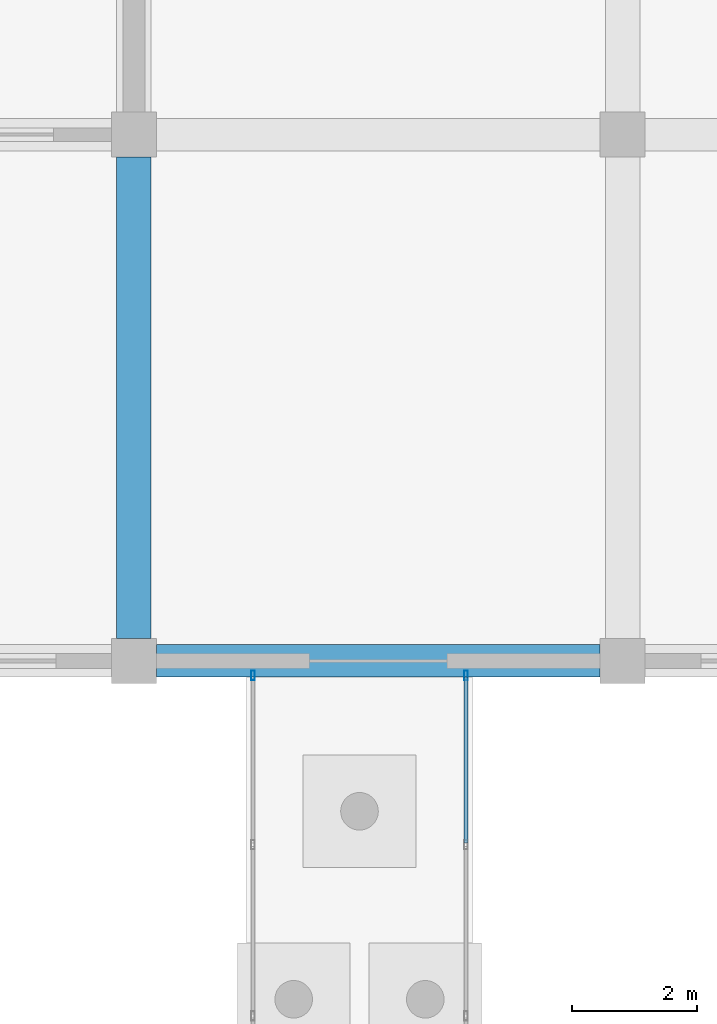
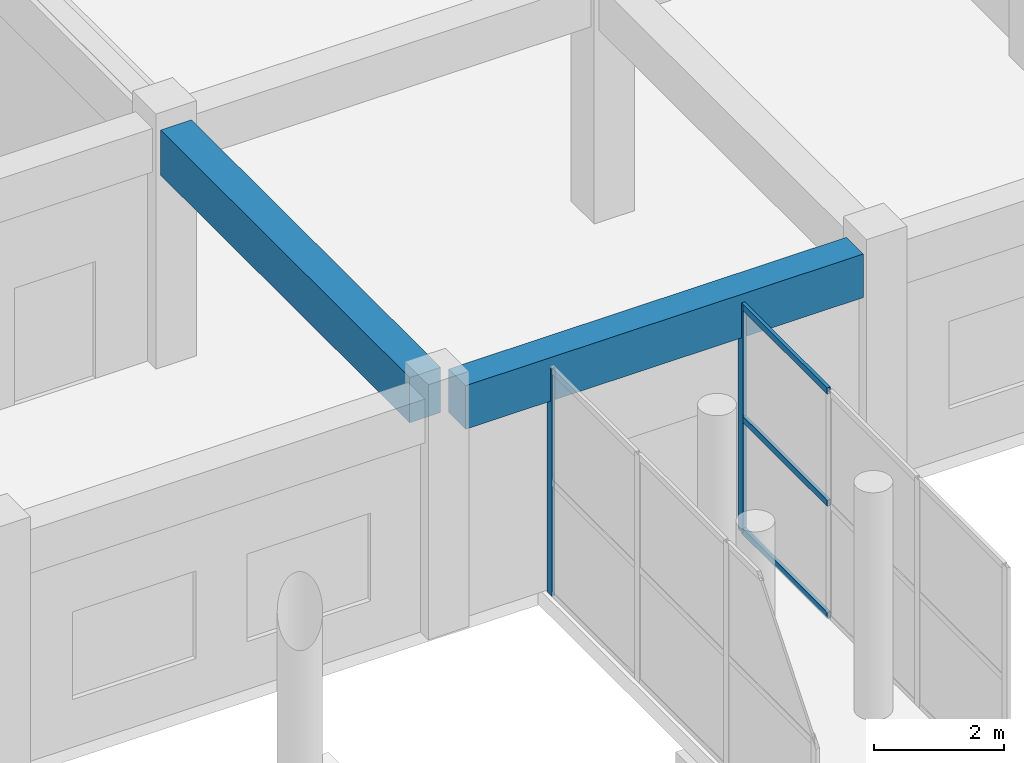
# One storey, part 66 of 139: 5 members, 2 beams, 2 elements without a shape of their own.
"""IFC4 building model written with IfcOpenShell, lengths in metres."""

from ifc_helpers import new_model, si_unit, direction, frame, origin, origin_2d, place, context, subcontext, project, spatial, rectangle, hollow_rectangle, extrude, material, layer, layer_set, material_profile, profile_set, type_object, element, aggregate, save


model = new_model("IFC4")

# Units and contexts
model_context = context("Model", 3, precision=1e-05, world=origin(), true_north=direction((0.0, 1.0)))
body_context = subcontext(model_context, "Body", "Model", "MODEL_VIEW")
ifc_project = project(units=[si_unit("LENGTHUNIT", "METRE"), si_unit("AREAUNIT", "SQUARE_METRE"), si_unit("VOLUMEUNIT", "CUBIC_METRE"), si_unit("PLANEANGLEUNIT", "RADIAN"), si_unit("MASSUNIT", "GRAM", prefix="KILO")], contexts=[model_context])

# Site, building, storey
site_placement = place(None, origin())
site = spatial("IfcSite", under=ifc_project, at=site_placement, CompositionType="ELEMENT")
building_placement = place(site_placement, origin())
building = spatial("IfcBuilding", under=site, at=building_placement, Name="Zizhar Promenade General Hospital", CompositionType="ELEMENT")
storey_placement = place(building_placement, origin())
storey = spatial("IfcBuildingStorey", under=building, at=storey_placement, Name="L00", CompositionType="ELEMENT", Elevation=0.0)

# Beams
ifc_material_1 = material(Name="Concrete C35/45", Category="concrete")
ifc_material_profile_1 = material_profile(ifc_material_1, rectangle(XDim=0.52001953125, YDim=0.820068359375, at=origin_2d()))
ifc_profile_set_1 = profile_set([ifc_material_profile_1], Name="Concrete C35/45")
beam_type_1 = type_object("IfcBeamType", Name="BM-RC-520x820", PredefinedType="BEAM", material=ifc_profile_set_1)
beam_1_placement = place(storey_placement, frame((179.760009765625, 42.0, 4.06005859375), z_axis=(1.0, 0.0, 0.0), x_axis=(0.0, 1.0, 0.0)))
element("IfcBeam", 1, at=beam_1_placement, inside=storey, type_object=beam_type_1, Name="Grid Beam X L00 (23-5)", PredefinedType="BEAM", context=body_context, shape_type="SweptSolid", body=[
    extrude(rectangle(XDim=0.52001953125, YDim=0.820068359375, at=origin_2d()), origin(), (0.0, 0.0, 1.0), 7.080078125),
])
ifc_material_2 = material(Name="Concrete C35/45", Category="concrete")
ifc_material_profile_2 = material_profile(ifc_material_2, rectangle(XDim=0.550048828125, YDim=0.85009765625, at=origin_2d()))
ifc_profile_set_2 = profile_set([ifc_material_profile_2], Name="Concrete C35/45")
beam_type_2 = type_object("IfcBeamType", Name="BM-RC-550x850", PredefinedType="BEAM", material=ifc_profile_set_2)
beam_2_placement = place(storey_placement, frame((179.39990234375, 42.360107421875, 4.044921875), z_axis=(0.0, 1.0, 0.0), x_axis=(-1.0, 0.0, 0.0)))
element("IfcBeam", 2, at=beam_2_placement, inside=storey, type_object=beam_type_2, Name="Grid Beam Y L00 (23-5)", PredefinedType="BEAM", context=body_context, shape_type="SweptSolid", body=[
    extrude(rectangle(XDim=0.550048828125, YDim=0.85009765625, at=origin_2d()), origin(), (0.0, 0.0, 1.0), 7.679931640625),
])

# Curtain wall, member
ifc_material_3 = material(Name="Anodised aluminium 6063-T6 and low-E glass", Category="aluminium")
ifc_layer = layer(ifc_material_3, 0.159912109375)
ifc_layer_set = layer_set([ifc_layer], Name="Anodised aluminium 6063-T6 and low-E glass")
curtain_wall_type = type_object("IfcCurtainWallType", Name="CW-PAV-GLZ", PredefinedType="NOTDEFINED", material=ifc_layer_set)
curtain_wall_1_placement = place(storey_placement, origin())
curtain_wall_1 = element("IfcCurtainWall", 3, at=curtain_wall_1_placement, inside=storey, type_object=curtain_wall_type, Name="Community Health Information Pavilion Link West Glazing", PredefinedType="NOTDEFINED")
ifc_material_4 = material(Name="Anodised aluminium 6063-T6", Category="aluminium")
ifc_material_profile_3 = material_profile(ifc_material_4, hollow_rectangle(XDim=0.06005859375, YDim=0.14990234375, WallThickness=0.00390625, at=origin_2d()))
ifc_profile_set_3 = profile_set([ifc_material_profile_3], Name="Anodised aluminium 6063-T6")
member_type_1 = type_object("IfcMemberType", Name="CWM-ALU-150x60", PredefinedType="MULLION", material=ifc_profile_set_3)
member_1_placement = place(storey_placement, frame((181.300048828125, 41.77001953125, 0.0), z_axis=(0.0, 0.0, 1.0), x_axis=(-1.0, 0.0, 0.0)))
member_1 = element("IfcMember", 4, at=member_1_placement, type_object=member_type_1, Name="CW-14 mullion 4", PredefinedType="MULLION", context=body_context, shape_type="SweptSolid", body=[
    extrude(hollow_rectangle(XDim=0.06005859375, YDim=0.14990234375, WallThickness=0.00390625, at=origin_2d()), origin(), (0.0, 0.0, 1.0), 4.280029296875),
])
aggregate(curtain_wall_1, [member_1])

# Curtain wall, members
curtain_wall_2_placement = place(storey_placement, origin())
curtain_wall_2 = element("IfcCurtainWall", 5, at=curtain_wall_2_placement, inside=storey, type_object=curtain_wall_type, Name="Community Health Information Pavilion Link East Glazing", PredefinedType="NOTDEFINED")
member_2_placement = place(storey_placement, frame((184.699951171875, 41.77001953125, 0.0), z_axis=(0.0, 0.0, 1.0), x_axis=(1.0, 0.0, 0.0)))
member_2 = element("IfcMember", 6, at=member_2_placement, type_object=member_type_1, Name="CW-14 mullion 1", PredefinedType="MULLION", context=body_context, shape_type="SweptSolid", body=[
    extrude(hollow_rectangle(XDim=0.06005859375, YDim=0.14990234375, WallThickness=0.00390625, at=origin_2d()), origin(), (0.0, 0.0, 1.0), 4.280029296875),
])
ifc_material_5 = material(Name="Anodised aluminium 6063-T6", Category="aluminium")
ifc_material_profile_4 = material_profile(ifc_material_5, hollow_rectangle(XDim=0.06005859375, YDim=0.1201171875, WallThickness=0.00390625, at=origin_2d()))
ifc_profile_set_4 = profile_set([ifc_material_profile_4], Name="Anodised aluminium 6063-T6")
member_type_2 = type_object("IfcMemberType", Name="CWT-ALU-120x60", PredefinedType="USERDEFINED", material=ifc_profile_set_4)
member_3_placement = place(storey_placement, frame((184.699951171875, 41.739990234375, 0.030029296875), z_axis=(0.0, -1.0, 0.0), x_axis=(1.0, 0.0, 0.0)))
member_3 = element("IfcMember", 7, at=member_3_placement, type_object=member_type_2, Name="CW-14 transom 1.1", ObjectType="TRANSOM", PredefinedType="USERDEFINED", context=body_context, shape_type="SweptSolid", body=[
    extrude(hollow_rectangle(XDim=0.06005859375, YDim=0.1201171875, WallThickness=0.00390625, at=origin_2d()), origin(), (0.0, 0.0, 1.0), 2.643310546875),
])
member_4_placement = place(storey_placement, frame((184.699951171875, 41.739990234375, 2.139892578125), z_axis=(0.0, -1.0, 0.0), x_axis=(1.0, 0.0, 0.0)))
member_4 = element("IfcMember", 8, at=member_4_placement, type_object=member_type_2, Name="CW-14 transom 1.2", ObjectType="TRANSOM", PredefinedType="USERDEFINED", context=body_context, shape_type="SweptSolid", body=[
    extrude(hollow_rectangle(XDim=0.06005859375, YDim=0.1201171875, WallThickness=0.00390625, at=origin_2d()), origin(), (0.0, 0.0, 1.0), 2.643310546875),
])
member_5_placement = place(storey_placement, frame((184.699951171875, 41.739990234375, 4.25), z_axis=(0.0, -1.0, 0.0), x_axis=(1.0, 0.0, 0.0)))
member_5 = element("IfcMember", 9, at=member_5_placement, type_object=member_type_2, Name="CW-14 transom 1.3", ObjectType="TRANSOM", PredefinedType="USERDEFINED", context=body_context, shape_type="SweptSolid", body=[
    extrude(hollow_rectangle(XDim=0.06005859375, YDim=0.1201171875, WallThickness=0.00390625, at=origin_2d()), origin(), (0.0, 0.0, 1.0), 2.643310546875),
])
aggregate(curtain_wall_2, [member_2, member_3, member_4, member_5])

save(model, "model.ifc")
